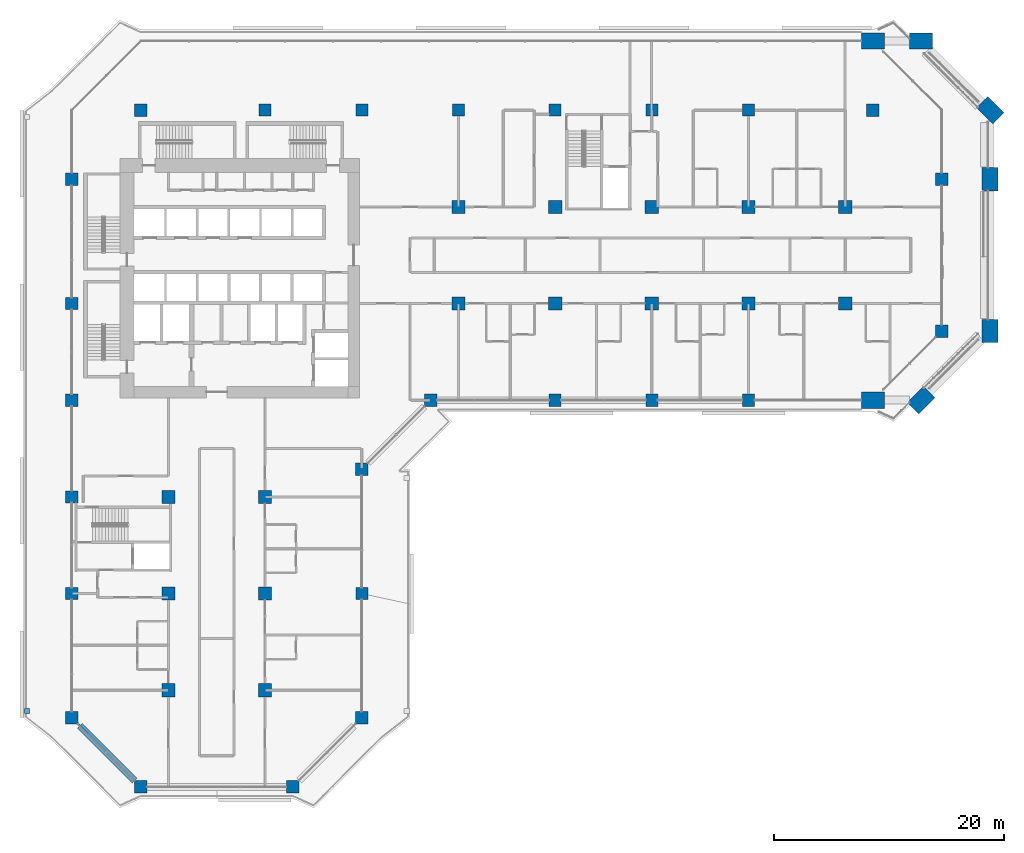
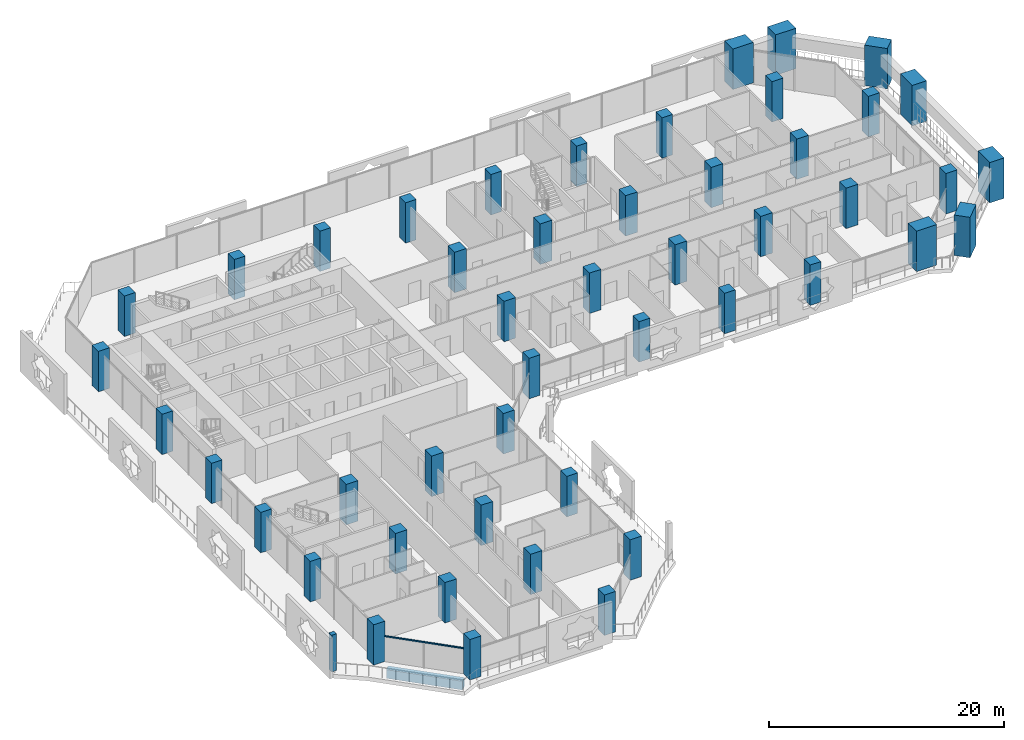
# One storey, part 1 of 25: 48 columns, 2 members, 1 beam, 2 elements without a shape of their own.
"""IFC4 building model written with IfcOpenShell, lengths in metres."""

from ifc_helpers import new_model, si_unit, direction, frame, origin, origin_2d, place, context, subcontext, project, spatial, rectangle, extrude, material, layer, layer_set, material_profile, profile_set, type_object, element, aggregate, save


model = new_model("IFC4")

# Units and contexts
model_context = context("Model", 3, precision=1e-05, world=origin(), true_north=direction((0.0, 1.0)))
body_context = subcontext(model_context, "Body", "Model", "MODEL_VIEW")
ifc_project = project(units=[si_unit("LENGTHUNIT", "METRE"), si_unit("AREAUNIT", "SQUARE_METRE"), si_unit("VOLUMEUNIT", "CUBIC_METRE"), si_unit("PLANEANGLEUNIT", "RADIAN"), si_unit("MASSUNIT", "GRAM", prefix="KILO")], contexts=[model_context])

# Site, building, storey
site_placement = place(None, origin())
site = spatial("IfcSite", under=ifc_project, at=site_placement, CompositionType="ELEMENT")
building_placement = place(site_placement, origin())
building = spatial("IfcBuilding", under=site, at=building_placement, Name="Kawkab Arch Medical Tower", CompositionType="ELEMENT")
storey_placement = place(building_placement, frame((0.0, 0.0, 111.39990234375)))
storey = spatial("IfcBuildingStorey", under=building, at=storey_placement, Name="L25", CompositionType="ELEMENT", Elevation=111.39990234375)

# Columns
ifc_material_1 = material(Name="Concrete C55/67", Category="concrete")
ifc_material_profile_1 = material_profile(ifc_material_1, rectangle(XDim=1.050048828125, YDim=1.050048828125, at=origin_2d()), Name="RC 1050x1050")
ifc_profile_set_1 = profile_set([ifc_material_profile_1], Name="Concrete C55/67")
column_type_1 = type_object("IfcColumnType", Name="RC 1050x1050 column C55/67", PredefinedType="COLUMN", material=ifc_profile_set_1)
for number, where, z_axis, x_axis, name in (
    (1, (16.800048828125, 0.0, 0.0), (0.0, 0.0, 1.0), (1.0, 0.0, 0.0), "Column RC 1050x1050"),
    (2, (25.199951171875, 0.0, 0.0), (0.0, 0.0, 1.0), (1.0, 0.0, 0.0), "Column RC 1050x1050"),
    (3, (33.60009765625, 0.0, 0.0), (0.0, 0.0, 1.0), (1.0, 0.0, 0.0), "Column RC 1050x1050"),
    (4, (42.0, 0.0, 0.0), (0.0, 0.0, 1.0), (1.0, 0.0, 0.0), "Column RC 1050x1050"),
    (5, (50.39990234375, 0.0, 0.0), (0.0, 0.0, 1.0), (1.0, 0.0, 0.0), "Column RC 1050x1050"),
    (6, (58.800048828125, 0.0, 0.0), (0.0, 0.0, 1.0), (1.0, 0.0, 0.0), "Column RC 1050x1050"),
    (7, (0.0, -16.800048828125, 0.0), (0.0, 0.0, 1.0), (1.0, 0.0, 0.0), "Column RC 1050x1050"),
    (8, (0.0, -25.199951171875, 0.0), (0.0, 0.0, 1.0), (1.0, 0.0, 0.0), "Column RC 1050x1050"),
    (9, (42.0, -25.199951171875, 0.0), (0.0, 0.0, 1.0), (1.0, 0.0, 0.0), "Column RC 1050x1050"),
    (10, (50.39990234375, -25.199951171875, 0.0), (0.0, 0.0, 1.0), (1.0, 0.0, 0.0), "Column RC 1050x1050"),
    (11, (58.800048828125, -25.199951171875, 0.0), (0.0, 0.0, 1.0), (1.0, 0.0, 0.0), "Column RC 1050x1050"),
    (12, (0.0, -33.60009765625, 0.0), (0.0, 0.0, 1.0), (1.0, 0.0, 0.0), "Column RC 1050x1050"),
    (13, (0.0, -42.0, 0.0), (0.0, 0.0, 1.0), (1.0, 0.0, 0.0), "Column RC 1050x1050"),
    (14, (25.199951171875, -42.0, 0.0), (0.0, 0.0, 1.0), (1.0, 0.0, 0.0), "Column RC 1050x1050"),
):
    element("IfcColumn", number, at=place(storey_placement, frame(where, z_axis=z_axis, x_axis=x_axis)), inside=storey, type_object=column_type_1, Name=name, PredefinedType="COLUMN", context=body_context, shape_type="SweptSolid", body=[
        extrude(rectangle(XDim=1.050048828125, YDim=1.050048828125, at=origin_2d()), origin(), (0.0, 0.0, 1.0), 4.2001953125),
    ])
ifc_material_2 = material(Name="Concrete C55/67", Category="concrete")
ifc_material_profile_2 = material_profile(ifc_material_2, rectangle(XDim=1.10009765625, YDim=1.10009765625, at=origin_2d()), Name="RC 1100x1100")
ifc_profile_set_2 = profile_set([ifc_material_profile_2], Name="Concrete C55/67")
column_type_2 = type_object("IfcColumnType", Name="RC 1100x1100 column C55/67", PredefinedType="COLUMN", material=ifc_profile_set_2)
for number, where, z_axis, x_axis, name in (
    (15, (6.0, 0.0, 0.0), (0.0, 0.0, 1.0), (1.0, 0.0, 0.0), "Column RC 1100x1100"),
    (16, (69.60009765625, 0.0, 0.0), (0.0, 0.0, 1.0), (1.0, 0.0, 0.0), "Column RC 1100x1100"),
    (17, (0.0, -6.0, 0.0), (0.0, 0.0, 1.0), (1.0, 0.0, 0.0), "Column RC 1100x1100"),
    (18, (75.60009765625, -6.0, 0.0), (0.0, 0.0, 1.0), (1.0, 0.0, 0.0), "Column RC 1100x1100"),
    (19, (75.60009765625, -19.199951171875, 0.0), (0.0, 0.0, 1.0), (1.0, 0.0, 0.0), "Column RC 1100x1100"),
    (20, (31.199951171875, -25.199951171875, 0.0), (0.0, 0.0, 1.0), (1.0, 0.0, 0.0), "Column RC 1100x1100"),
    (21, (25.199951171875, -31.199951171875, 0.0), (0.0, 0.0, 1.0), (1.0, 0.0, 0.0), "Column RC 1100x1100"),
    (22, (0.0, -52.800048828125, 0.0), (0.0, 0.0, 1.0), (1.0, 0.0, 0.0), "Column RC 1100x1100"),
    (23, (25.199951171875, -52.800048828125, 0.0), (0.0, 0.0, 1.0), (1.0, 0.0, 0.0), "Column RC 1100x1100"),
    (24, (6.0, -58.800048828125, 0.0), (0.0, 0.0, 1.0), (1.0, 0.0, 0.0), "Column RC 1100x1100"),
    (25, (19.199951171875, -58.800048828125, 0.0), (0.0, 0.0, 1.0), (1.0, 0.0, 0.0), "Column RC 1100x1100"),
):
    element("IfcColumn", number, at=place(storey_placement, frame(where, z_axis=z_axis, x_axis=x_axis)), inside=storey, type_object=column_type_2, Name=name, PredefinedType="COLUMN", context=body_context, shape_type="SweptSolid", body=[
        extrude(rectangle(XDim=1.10009765625, YDim=1.10009765625, at=origin_2d()), origin(), (0.0, 0.0, 1.0), 4.2001953125),
    ])
ifc_material_3 = material(Name="Concrete C55/67", Category="concrete")
ifc_material_profile_3 = material_profile(ifc_material_3, rectangle(XDim=1.14990234375, YDim=1.14990234375, at=origin_2d()), Name="RC 1150x1150")
ifc_profile_set_3 = profile_set([ifc_material_profile_3], Name="Concrete C55/67")
column_type_3 = type_object("IfcColumnType", Name="RC 1150x1150 column C55/67", PredefinedType="COLUMN", material=ifc_profile_set_3)
for number, where, z_axis, x_axis, name in (
    (26, (33.60009765625, -8.39990234375, 0.0), (0.0, 0.0, 1.0), (1.0, 0.0, 0.0), "Column RC 1150x1150"),
    (27, (42.0, -8.39990234375, 0.0), (0.0, 0.0, 1.0), (1.0, 0.0, 0.0), "Column RC 1150x1150"),
    (28, (50.39990234375, -8.39990234375, 0.0), (0.0, 0.0, 1.0), (1.0, 0.0, 0.0), "Column RC 1150x1150"),
    (29, (58.800048828125, -8.39990234375, 0.0), (0.0, 0.0, 1.0), (1.0, 0.0, 0.0), "Column RC 1150x1150"),
    (30, (67.199951171875, -8.39990234375, 0.0), (0.0, 0.0, 1.0), (1.0, 0.0, 0.0), "Column RC 1150x1150"),
    (31, (33.60009765625, -16.800048828125, 0.0), (0.0, 0.0, 1.0), (1.0, 0.0, 0.0), "Column RC 1150x1150"),
    (32, (42.0, -16.800048828125, 0.0), (0.0, 0.0, 1.0), (1.0, 0.0, 0.0), "Column RC 1150x1150"),
    (33, (50.39990234375, -16.800048828125, 0.0), (0.0, 0.0, 1.0), (1.0, 0.0, 0.0), "Column RC 1150x1150"),
    (34, (58.800048828125, -16.800048828125, 0.0), (0.0, 0.0, 1.0), (1.0, 0.0, 0.0), "Column RC 1150x1150"),
    (35, (67.199951171875, -16.800048828125, 0.0), (0.0, 0.0, 1.0), (1.0, 0.0, 0.0), "Column RC 1150x1150"),
    (36, (8.39990234375, -33.60009765625, 0.0), (0.0, 0.0, 1.0), (1.0, 0.0, 0.0), "Column RC 1150x1150"),
    (37, (16.800048828125, -33.60009765625, 0.0), (0.0, 0.0, 1.0), (1.0, 0.0, 0.0), "Column RC 1150x1150"),
    (38, (8.39990234375, -42.0, 0.0), (0.0, 0.0, 1.0), (1.0, 0.0, 0.0), "Column RC 1150x1150"),
    (39, (16.800048828125, -42.0, 0.0), (0.0, 0.0, 1.0), (1.0, 0.0, 0.0), "Column RC 1150x1150"),
    (40, (8.39990234375, -50.39990234375, 0.0), (0.0, 0.0, 1.0), (1.0, 0.0, 0.0), "Column RC 1150x1150"),
    (41, (16.800048828125, -50.39990234375, 0.0), (0.0, 0.0, 1.0), (1.0, 0.0, 0.0), "Column RC 1150x1150"),
):
    element("IfcColumn", number, at=place(storey_placement, frame(where, z_axis=z_axis, x_axis=x_axis)), inside=storey, type_object=column_type_3, Name=name, PredefinedType="COLUMN", context=body_context, shape_type="SweptSolid", body=[
        extrude(rectangle(XDim=1.14990234375, YDim=1.14990234375, at=origin_2d()), origin(), (0.0, 0.0, 1.0), 4.2001953125),
    ])
ifc_material_4 = material(Name="Concrete C55/67", Category="concrete")
ifc_material_profile_4 = material_profile(ifc_material_4, rectangle(XDim=2.0, YDim=1.39990234375, at=origin_2d()), Name="RC 2000x1400")
ifc_profile_set_4 = profile_set([ifc_material_profile_4], Name="Concrete C55/67")
column_type_4 = type_object("IfcColumnType", Name="RC 2000x1400 column C55/67", PredefinedType="COLUMN", material=ifc_profile_set_4)
for number, where, z_axis, x_axis, name in (
    (42, (69.60009765625, -25.199951171875, 0.0), (0.0, 0.0, 1.0), (-1.0, 0.0, 0.0), "Column RC 2000x1400"),
    (43, (69.60009765625, 6.0, 0.0), (0.0, 0.0, 1.0), (1.0, 0.0, 0.0), "Column RC 2000x1400"),
    (44, (73.800048828125, 6.0, 0.0), (0.0, 0.0, 1.0), (1.0, 0.0, 0.0), "Column RC 2000x1400"),
    (45, (79.800048828125, 0.0, 0.0), (0.0, 0.0, 1.0), (0.707106781187, -0.707106781187, 0.0), "Column RC 2000x1400"),
    (46, (79.800048828125, -6.0, 0.0), (0.0, 0.0, 1.0), (0.0, -1.0, 0.0), "Column RC 2000x1400"),
    (47, (79.800048828125, -19.199951171875, 0.0), (0.0, 0.0, 1.0), (0.0, -1.0, 0.0), "Column RC 2000x1400"),
    (48, (73.800048828125, -25.199951171875, 0.0), (0.0, 0.0, 1.0), (-0.707106781187, -0.707106781187, 0.0), "Column RC 2000x1400"),
):
    element("IfcColumn", number, at=place(storey_placement, frame(where, z_axis=z_axis, x_axis=x_axis)), inside=storey, type_object=column_type_4, Name=name, PredefinedType="COLUMN", context=body_context, shape_type="SweptSolid", body=[
        extrude(rectangle(XDim=2.0, YDim=1.39990234375, at=origin_2d()), origin(), (0.0, 0.0, 1.0), 4.2001953125),
    ])

# Curtain wall, member
ifc_material_5 = material(Name="Bronze anodised aluminium curtain wall frame", Category="aluminium")
ifc_layer_1 = layer(ifc_material_5, 0.159912109375)
ifc_layer_set_1 = layer_set([ifc_layer_1], Name="Bronze anodised aluminium curtain wall frame")
curtain_wall_type_1 = type_object("IfcCurtainWallType", Name="CW2 chamfer curtain wall", PredefinedType="NOTDEFINED", material=ifc_layer_set_1)
placement = place(storey_placement, origin())
curtain_wall_1 = element("IfcCurtainWall", 49, at=placement, inside=storey, type_object=curtain_wall_type_1, Name="CW2 Chamfer curtain wall R02", PredefinedType="NOTDEFINED")
ifc_material_6 = material(Name="Bronze anodised aluminium curtain wall frame", Category="aluminium")
ifc_material_profile_5 = material_profile(ifc_material_6, rectangle(XDim=0.06005859375, YDim=0.139892578125, at=origin_2d()), Name="AL 60x140")
ifc_profile_set_5 = profile_set([ifc_material_profile_5], Name="Bronze anodised aluminium curtain wall frame")
member_type_1 = type_object("IfcMemberType", Name="CW2 transom 140 x 60", PredefinedType="USERDEFINED", material=ifc_profile_set_5)
member_1_placement = place(storey_placement, frame((0.550048828125, -53.35009765625, 2.630126953125), z_axis=(0.707106781187, -0.707106781187, 0.0), x_axis=(0.707106781187, 0.707106781187, 0.0)))
member_1 = element("IfcMember", 50, at=member_1_placement, type_object=member_type_1, Name="CW2 transom 1", ObjectType="TRANSOM", PredefinedType="USERDEFINED", context=body_context, shape_type="SweptSolid", body=[
    extrude(rectangle(XDim=0.06005859375, YDim=0.139892578125, at=origin_2d()), origin(), (0.0, 0.0, 1.0), 6.929443359375),
])
aggregate(curtain_wall_1, [member_1])

ifc_material_7 = material(Name="Bronze anodised aluminium climber frame, planted", Category="aluminium")
ifc_layer_2 = layer(ifc_material_7, 0.449951171875)
ifc_layer_set_2 = layer_set([ifc_layer_2], Name="Bronze anodised aluminium climber frame, planted")
curtain_wall_type_2 = type_object("IfcCurtainWallType", Name="Planted climber frame", PredefinedType="NOTDEFINED", material=ifc_layer_set_2)
curtain_wall_2 = element("IfcCurtainWall", 51, at=placement, inside=storey, type_object=curtain_wall_type_2, Name="Planted climber frame L25", PredefinedType="NOTDEFINED")
ifc_material_8 = material(Name="Bronze anodised aluminium climber frame, planted", Category="aluminium")
ifc_material_profile_6 = material_profile(ifc_material_8, rectangle(XDim=0.449951171875, YDim=0.449951171875, at=origin_2d()), Name="Post 450x450")
ifc_profile_set_6 = profile_set([ifc_material_profile_6], Name="Bronze anodised aluminium climber frame, planted")
member_type_2 = type_object("IfcMemberType", Name="Planted climber post 450 x 450", PredefinedType="MULLION", material=ifc_profile_set_6)
member_2_placement = place(storey_placement, frame((-3.89990234375, -52.202880859375, 0.0), z_axis=(0.0, 0.0, 1.0), x_axis=(1.0, 0.0, 0.0)))
member_2 = element("IfcMember", 52, at=member_2_placement, type_object=member_type_2, Name="Planted climber post L25.LOG-01-01.3", PredefinedType="MULLION", context=body_context, shape_type="SweptSolid", body=[
    extrude(rectangle(XDim=0.449951171875, YDim=0.449951171875, at=origin_2d()), origin(), (0.0, 0.0, 1.0), 3.800048828125),
])
aggregate(curtain_wall_2, [member_2])

# Beam
ifc_material_9 = material(Name="Concrete C55/67", Category="concrete")
ifc_material_profile_7 = material_profile(ifc_material_9, rectangle(XDim=0.60009765625, YDim=0.89990234375, at=origin_2d()), Name="RC 600x900")
ifc_profile_set_7 = profile_set([ifc_material_profile_7], Name="Concrete C55/67")
beam_type = type_object("IfcBeamType", Name="RC 600x900 beam C55/67", PredefinedType="BEAM", material=ifc_profile_set_7)
beam_placement = place(storey_placement, frame((5.449951171875, -58.25, -1.0498046875), z_axis=(-0.707106781187, 0.707106781187, 0.0), x_axis=(-0.707106781187, -0.707106781187, 0.0)))
element("IfcBeam", 53, at=beam_placement, inside=storey, type_object=beam_type, Name="Overhang edge beam L25-07", PredefinedType="BEAM", context=body_context, shape_type="SweptSolid", body=[
    extrude(rectangle(XDim=0.60009765625, YDim=0.89990234375, at=origin_2d()), origin(), (0.0, 0.0, 1.0), 6.717529296875),
])

save(model, "model.ifc")
